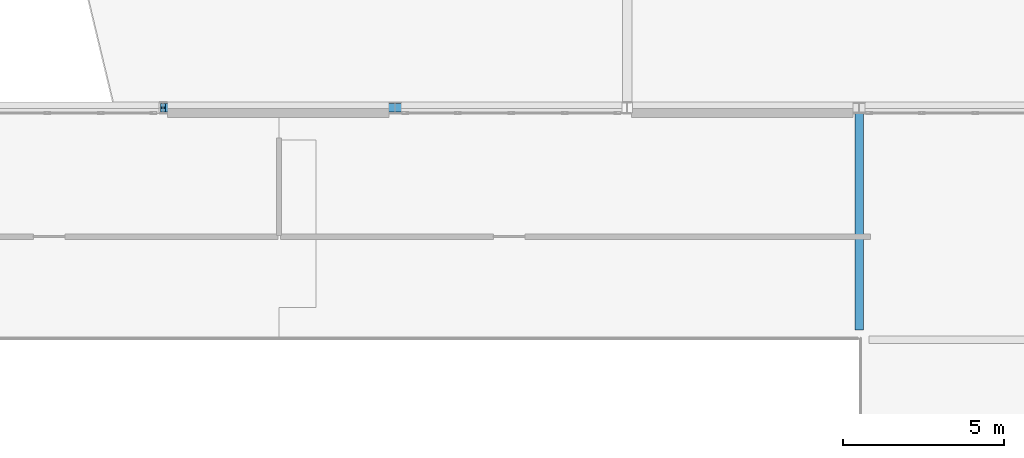
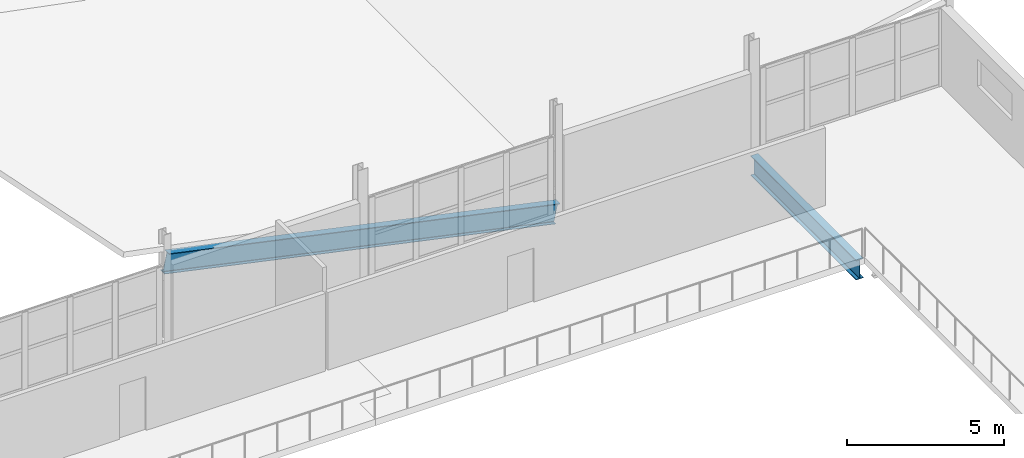
# One storey, part 53 of 94: 2 beams.
"""IFC4 building model written with IfcOpenShell, lengths in metres."""

from ifc_helpers import new_model, si_unit, direction, frame, origin, origin_2d, place, context, subcontext, project, spatial, i_section, extrude, material, material_profile, profile_set, type_object, element, save


model = new_model("IFC4")

# Units and contexts
model_context = context("Model", 3, precision=1e-05, world=origin(), true_north=direction((0.0, 1.0)))
body_context = subcontext(model_context, "Body", "Model", "MODEL_VIEW")
ifc_project = project(units=[si_unit("LENGTHUNIT", "METRE"), si_unit("AREAUNIT", "SQUARE_METRE"), si_unit("VOLUMEUNIT", "CUBIC_METRE"), si_unit("PLANEANGLEUNIT", "RADIAN"), si_unit("MASSUNIT", "GRAM", prefix="KILO")], contexts=[model_context])

# Site, building, storey
site_placement = place(None, origin())
site = spatial("IfcSite", under=ifc_project, at=site_placement, CompositionType="ELEMENT")
building_placement = place(site_placement, origin())
building = spatial("IfcBuilding", under=site, at=building_placement, Name="Kalmorath City Hall", CompositionType="ELEMENT")
storey_placement = place(building_placement, frame((0.0, 0.0, 14.699951171875)))
storey = spatial("IfcBuildingStorey", under=building, at=storey_placement, Name="L03", CompositionType="ELEMENT", Elevation=14.699951171875)

# Beams
ifc_material_1 = material(Name="Steel ASTM A992 Grade 50", Category="steel")
ifc_material_profile_1 = material_profile(ifc_material_1, i_section(OverallWidth=0.26611328125, OverallDepth=0.758056640625, WebThickness=0.013916015625, FlangeThickness=0.019287109375, FilletRadius=0.02001953125, at=origin_2d()), Name="W30X108")
ifc_profile_set_1 = profile_set([ifc_material_profile_1], Name="Steel ASTM A992 Grade 50")
beam_type_1 = type_object("IfcBeamType", Name="Steel butterfly roof girder W30X108", PredefinedType="BEAM", material=ifc_profile_set_1)
beam_1_placement = place(storey_placement, frame((136.800048828125, 43.199951171875, 3.008056640625), z_axis=(0.977771836451, 0.0, -0.209671733536), x_axis=(0.0, 1.0, 0.0)))
element("IfcBeam", 1, at=beam_1_placement, inside=storey, type_object=beam_type_1, Name="Library butterfly west girder SG4-1", PredefinedType="BEAM", context=body_context, shape_type="SweptSolid", body=[
    extrude(i_section(OverallWidth=0.26611328125, OverallDepth=0.758056640625, WebThickness=0.013916015625, FlangeThickness=0.019287109375, FilletRadius=0.02001953125, at=origin_2d()), origin(), (0.0, 0.0, 1.0), 14.727294921875),
])
ifc_material_2 = material(Name="Steel ASTM A992 Grade 50", Category="steel")
ifc_material_profile_2 = material_profile(ifc_material_2, i_section(OverallWidth=0.26806640625, OverallDepth=0.77001953125, WebThickness=0.015625, FlangeThickness=0.025390625, FilletRadius=0.02001953125, at=origin_2d()), Name="W30X132")
ifc_profile_set_2 = profile_set([ifc_material_profile_2], Name="Steel ASTM A992 Grade 50")
beam_type_2 = type_object("IfcBeamType", Name="Steel primary girder W30X132", PredefinedType="BEAM", material=ifc_profile_set_2)
beam_2_placement = place(storey_placement, frame((158.39990234375, 36.300048828125, -0.64892578125), z_axis=(0.0, 1.0, 0.0), x_axis=(-1.0, 0.0, 0.0)))
element("IfcBeam", 2, at=beam_2_placement, inside=storey, type_object=beam_type_2, Name="L03 girder SG3 Y23/6-7", PredefinedType="BEAM", context=body_context, shape_type="SweptSolid", body=[
    extrude(i_section(OverallWidth=0.26806640625, OverallDepth=0.77001953125, WebThickness=0.015625, FlangeThickness=0.025390625, FilletRadius=0.02001953125, at=origin_2d()), origin(), (0.0, 0.0, 1.0), 6.721923828125),
])

save(model, "model.ifc")
